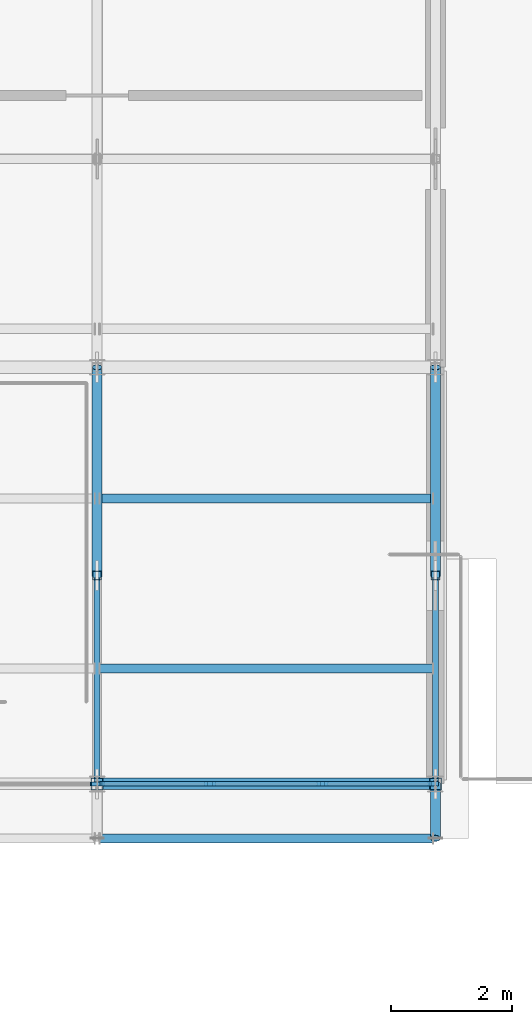
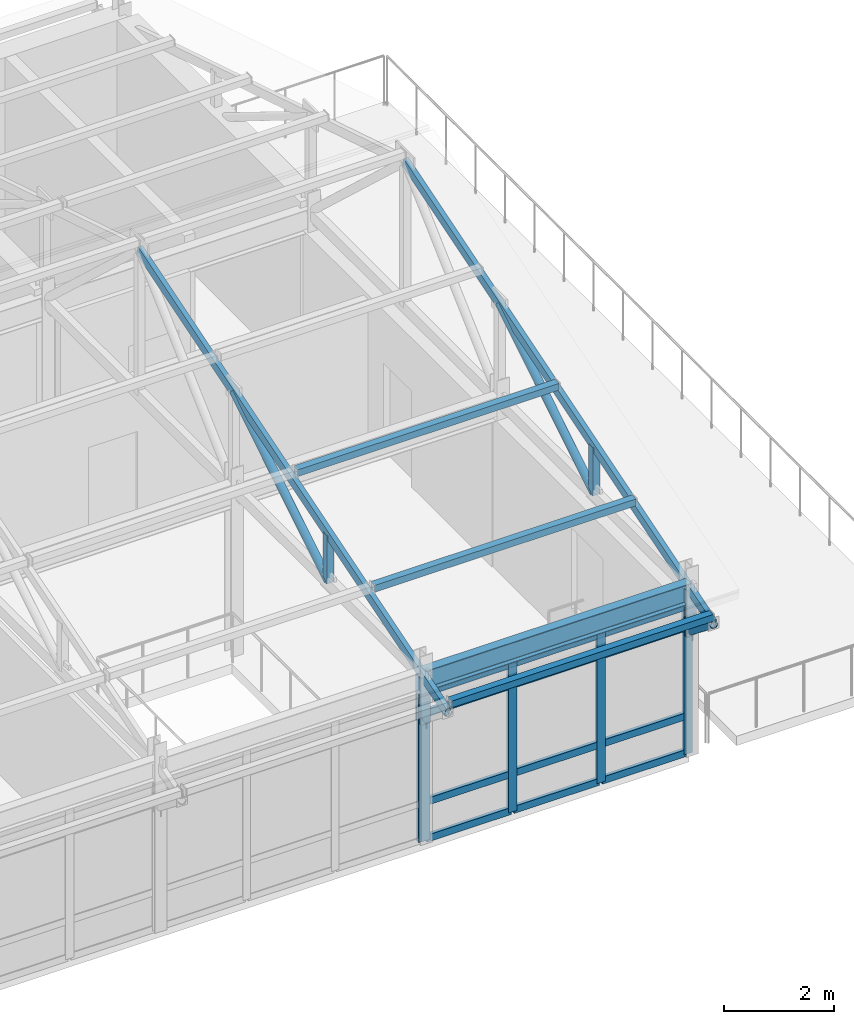
# One storey, part 63 of 144: 29 members, 1 beam, 2 elements without a shape of their own.
"""IFC4 building model written with IfcOpenShell, lengths in metres."""

from ifc_helpers import new_model, si_unit, direction, frame, origin, origin_2d, place, context, subcontext, project, spatial, rectangle, hollow_rectangle, hollow_circle, i_section, extrude, material, layer, layer_set, material_profile, profile_set, type_object, element, aggregate, save


model = new_model("IFC4")

# Units and contexts
model_context = context("Model", 3, precision=1e-05, world=origin(), true_north=direction((0.0, 1.0)))
body_context = subcontext(model_context, "Body", "Model", "MODEL_VIEW")
ifc_project = project(units=[si_unit("LENGTHUNIT", "METRE"), si_unit("AREAUNIT", "SQUARE_METRE"), si_unit("VOLUMEUNIT", "CUBIC_METRE"), si_unit("PLANEANGLEUNIT", "RADIAN"), si_unit("MASSUNIT", "GRAM", prefix="KILO")], contexts=[model_context])

# Site, building, storey
site_placement = place(None, origin())
site = spatial("IfcSite", under=ifc_project, at=site_placement, CompositionType="ELEMENT")
building_placement = place(site_placement, origin())
building = spatial("IfcBuilding", under=site, at=building_placement, Name="Trelmorton Wharf Fire Station", CompositionType="ELEMENT")
storey_placement = place(building_placement, frame((0.0, 0.0, 5.39990234375)))
storey = spatial("IfcBuildingStorey", under=building, at=storey_placement, Name="L01", CompositionType="ELEMENT", Elevation=5.39990234375)

# Curtain wall, member
ifc_material_1 = material(Name="Anodised aluminium AW-6063", Category="aluminium")
ifc_layer = layer(ifc_material_1, 0.14990234375)
ifc_layer_set = layer_set([ifc_layer], Name="Anodised aluminium AW-6063")
curtain_wall_type = type_object("IfcCurtainWallType", Name="CW_UNIT_A", PredefinedType="USERDEFINED", material=ifc_layer_set)
curtain_wall_1_placement = place(storey_placement, origin())
curtain_wall_1 = element("IfcCurtainWall", 1, at=curtain_wall_1_placement, inside=storey, type_object=curtain_wall_type, Name="CW-V6-L01-095", ObjectType="UNITISED CURTAIN WALL", PredefinedType="USERDEFINED")
ifc_material_profile_1 = material_profile(ifc_material_1, rectangle(XDim=0.06494140625, YDim=0.159912109375, at=origin_2d()), Name="ALU-65x160")
ifc_profile_set_1 = profile_set([ifc_material_profile_1], Name="Anodised aluminium AW-6063")
member_type_1 = type_object("IfcMemberType", Name="CWM_65x160", PredefinedType="MULLION", material=ifc_profile_set_1)
member_1_placement = place(storey_placement, frame((34.364990234375, 60.300048828125, 0.0), z_axis=(0.0, 0.0, 1.0), x_axis=(0.0, -1.0, 0.0)))
member_1 = element("IfcMember", 2, at=member_1_placement, type_object=member_type_1, Name="CW3 mullion 1", PredefinedType="MULLION", context=body_context, shape_type="SweptSolid", body=[
    extrude(rectangle(XDim=0.06494140625, YDim=0.159912109375, at=origin_2d()), origin(), (0.0, 0.0, 1.0), 3.320068359375),
])
aggregate(curtain_wall_1, [member_1])

# Curtain wall, members
curtain_wall_2_placement = place(storey_placement, origin())
curtain_wall_2 = element("IfcCurtainWall", 3, at=curtain_wall_2_placement, inside=storey, type_object=curtain_wall_type, Name="CW-V6-L01-096", ObjectType="UNITISED CURTAIN WALL", PredefinedType="USERDEFINED")
ifc_material_profile_2 = material_profile(ifc_material_1, rectangle(XDim=0.074951171875, YDim=0.175048828125, at=origin_2d()), Name="ALU-75x175")
ifc_profile_set_2 = profile_set([ifc_material_profile_2], Name="Anodised aluminium AW-6063")
member_type_2 = type_object("IfcMemberType", Name="CWM_75x175", PredefinedType="MULLION", material=ifc_profile_set_2)
member_2_placement = place(storey_placement, frame((39.965087890625, 60.300048828125, 0.0), z_axis=(0.0, 0.0, 1.0), x_axis=(0.0, -1.0, 0.0)))
member_2 = element("IfcMember", 4, at=member_2_placement, type_object=member_type_2, Name="CW3 mullion 1", PredefinedType="MULLION", context=body_context, shape_type="SweptSolid", body=[
    extrude(rectangle(XDim=0.074951171875, YDim=0.175048828125, at=origin_2d()), origin(), (0.0, 0.0, 1.0), 3.320068359375),
])
member_3_placement = place(storey_placement, frame((38.131591796875, 60.300048828125, 0.0), z_axis=(0.0, 0.0, 1.0), x_axis=(0.0, -1.0, 0.0)))
member_3 = element("IfcMember", 5, at=member_3_placement, type_object=member_type_2, Name="CW3 mullion 2", PredefinedType="MULLION", context=body_context, shape_type="SweptSolid", body=[
    extrude(rectangle(XDim=0.074951171875, YDim=0.175048828125, at=origin_2d()), origin(), (0.0, 0.0, 1.0), 3.320068359375),
])
member_4_placement = place(storey_placement, frame((36.268310546875, 60.300048828125, 0.0), z_axis=(0.0, 0.0, 1.0), x_axis=(0.0, -1.0, 0.0)))
member_4 = element("IfcMember", 6, at=member_4_placement, type_object=member_type_2, Name="CW3 mullion 3", PredefinedType="MULLION", context=body_context, shape_type="SweptSolid", body=[
    extrude(rectangle(XDim=0.074951171875, YDim=0.175048828125, at=origin_2d()), origin(), (0.0, 0.0, 1.0), 3.320068359375),
])
member_5_placement = place(storey_placement, frame((34.43505859375, 60.300048828125, 0.0), z_axis=(0.0, 0.0, 1.0), x_axis=(0.0, -1.0, 0.0)))
member_5 = element("IfcMember", 7, at=member_5_placement, type_object=member_type_2, Name="CW3 mullion 4", PredefinedType="MULLION", context=body_context, shape_type="SweptSolid", body=[
    extrude(rectangle(XDim=0.074951171875, YDim=0.175048828125, at=origin_2d()), origin(), (0.0, 0.0, 1.0), 3.320068359375),
])
ifc_material_profile_3 = material_profile(ifc_material_1, rectangle(XDim=0.074951171875, YDim=0.155029296875, at=origin_2d()), Name="ALU-75x155")
ifc_profile_set_3 = profile_set([ifc_material_profile_3], Name="Anodised aluminium AW-6063")
member_type_3 = type_object("IfcMemberType", Name="CWT_75x155", PredefinedType="USERDEFINED", material=ifc_profile_set_3)
member_6_placement = place(storey_placement, frame((39.93505859375, 60.300048828125, 0.030029296875), z_axis=(-1.0, 0.0, 0.0), x_axis=(0.0, -1.0, 0.0)))
member_6 = element("IfcMember", 8, at=member_6_placement, type_object=member_type_3, Name="CW3 transom 1.1", ObjectType="TRANSOM", PredefinedType="USERDEFINED", context=body_context, shape_type="SweptSolid", body=[
    extrude(rectangle(XDim=0.074951171875, YDim=0.155029296875, at=origin_2d()), origin(), (0.0, 0.0, 1.0), 1.7734375),
])
member_7_placement = place(storey_placement, frame((39.93505859375, 60.300048828125, 0.85009765625), z_axis=(-1.0, 0.0, 0.0), x_axis=(0.0, -1.0, 0.0)))
member_7 = element("IfcMember", 9, at=member_7_placement, type_object=member_type_3, Name="CW3 transom 1.2", ObjectType="TRANSOM", PredefinedType="USERDEFINED", context=body_context, shape_type="SweptSolid", body=[
    extrude(rectangle(XDim=0.074951171875, YDim=0.155029296875, at=origin_2d()), origin(), (0.0, 0.0, 1.0), 1.7734375),
])
member_8_placement = place(storey_placement, frame((39.93505859375, 60.300048828125, 2.820068359375), z_axis=(-1.0, 0.0, 0.0), x_axis=(0.0, -1.0, 0.0)))
member_8 = element("IfcMember", 10, at=member_8_placement, type_object=member_type_3, Name="CW3 transom 1.3", ObjectType="TRANSOM", PredefinedType="USERDEFINED", context=body_context, shape_type="SweptSolid", body=[
    extrude(rectangle(XDim=0.074951171875, YDim=0.155029296875, at=origin_2d()), origin(), (0.0, 0.0, 1.0), 1.7734375),
])
member_9_placement = place(storey_placement, frame((39.93505859375, 60.300048828125, 3.2900390625), z_axis=(-1.0, 0.0, 0.0), x_axis=(0.0, -1.0, 0.0)))
member_9 = element("IfcMember", 11, at=member_9_placement, type_object=member_type_3, Name="CW3 transom 1.4", ObjectType="TRANSOM", PredefinedType="USERDEFINED", context=body_context, shape_type="SweptSolid", body=[
    extrude(rectangle(XDim=0.074951171875, YDim=0.155029296875, at=origin_2d()), origin(), (0.0, 0.0, 1.0), 1.7734375),
])
member_10_placement = place(storey_placement, frame((38.1015625, 60.300048828125, 0.030029296875), z_axis=(-1.0, 0.0, 0.0), x_axis=(0.0, -1.0, 0.0)))
member_10 = element("IfcMember", 12, at=member_10_placement, type_object=member_type_3, Name="CW3 transom 2.1", ObjectType="TRANSOM", PredefinedType="USERDEFINED", context=body_context, shape_type="SweptSolid", body=[
    extrude(rectangle(XDim=0.074951171875, YDim=0.155029296875, at=origin_2d()), origin(), (0.0, 0.0, 1.0), 1.80322265625),
])
member_11_placement = place(storey_placement, frame((38.1015625, 60.300048828125, 0.85009765625), z_axis=(-1.0, 0.0, 0.0), x_axis=(0.0, -1.0, 0.0)))
member_11 = element("IfcMember", 13, at=member_11_placement, type_object=member_type_3, Name="CW3 transom 2.2", ObjectType="TRANSOM", PredefinedType="USERDEFINED", context=body_context, shape_type="SweptSolid", body=[
    extrude(rectangle(XDim=0.074951171875, YDim=0.155029296875, at=origin_2d()), origin(), (0.0, 0.0, 1.0), 1.80322265625),
])
member_12_placement = place(storey_placement, frame((38.1015625, 60.300048828125, 2.820068359375), z_axis=(-1.0, 0.0, 0.0), x_axis=(0.0, -1.0, 0.0)))
member_12 = element("IfcMember", 14, at=member_12_placement, type_object=member_type_3, Name="CW3 transom 2.3", ObjectType="TRANSOM", PredefinedType="USERDEFINED", context=body_context, shape_type="SweptSolid", body=[
    extrude(rectangle(XDim=0.074951171875, YDim=0.155029296875, at=origin_2d()), origin(), (0.0, 0.0, 1.0), 1.80322265625),
])
member_13_placement = place(storey_placement, frame((38.1015625, 60.300048828125, 3.2900390625), z_axis=(-1.0, 0.0, 0.0), x_axis=(0.0, -1.0, 0.0)))
member_13 = element("IfcMember", 15, at=member_13_placement, type_object=member_type_3, Name="CW3 transom 2.4", ObjectType="TRANSOM", PredefinedType="USERDEFINED", context=body_context, shape_type="SweptSolid", body=[
    extrude(rectangle(XDim=0.074951171875, YDim=0.155029296875, at=origin_2d()), origin(), (0.0, 0.0, 1.0), 1.80322265625),
])
member_14_placement = place(storey_placement, frame((36.23828125, 60.300048828125, 0.030029296875), z_axis=(-1.0, 0.0, 0.0), x_axis=(0.0, -1.0, 0.0)))
member_14 = element("IfcMember", 16, at=member_14_placement, type_object=member_type_3, Name="CW3 transom 3.1", ObjectType="TRANSOM", PredefinedType="USERDEFINED", context=body_context, shape_type="SweptSolid", body=[
    extrude(rectangle(XDim=0.074951171875, YDim=0.155029296875, at=origin_2d()), origin(), (0.0, 0.0, 1.0), 1.773193359375),
])
member_15_placement = place(storey_placement, frame((36.23828125, 60.300048828125, 0.85009765625), z_axis=(-1.0, 0.0, 0.0), x_axis=(0.0, -1.0, 0.0)))
member_15 = element("IfcMember", 17, at=member_15_placement, type_object=member_type_3, Name="CW3 transom 3.2", ObjectType="TRANSOM", PredefinedType="USERDEFINED", context=body_context, shape_type="SweptSolid", body=[
    extrude(rectangle(XDim=0.074951171875, YDim=0.155029296875, at=origin_2d()), origin(), (0.0, 0.0, 1.0), 1.773193359375),
])
member_16_placement = place(storey_placement, frame((36.23828125, 60.300048828125, 2.820068359375), z_axis=(-1.0, 0.0, 0.0), x_axis=(0.0, -1.0, 0.0)))
member_16 = element("IfcMember", 18, at=member_16_placement, type_object=member_type_3, Name="CW3 transom 3.3", ObjectType="TRANSOM", PredefinedType="USERDEFINED", context=body_context, shape_type="SweptSolid", body=[
    extrude(rectangle(XDim=0.074951171875, YDim=0.155029296875, at=origin_2d()), origin(), (0.0, 0.0, 1.0), 1.773193359375),
])
member_17_placement = place(storey_placement, frame((36.23828125, 60.300048828125, 3.2900390625), z_axis=(-1.0, 0.0, 0.0), x_axis=(0.0, -1.0, 0.0)))
member_17 = element("IfcMember", 19, at=member_17_placement, type_object=member_type_3, Name="CW3 transom 3.4", ObjectType="TRANSOM", PredefinedType="USERDEFINED", context=body_context, shape_type="SweptSolid", body=[
    extrude(rectangle(XDim=0.074951171875, YDim=0.155029296875, at=origin_2d()), origin(), (0.0, 0.0, 1.0), 1.773193359375),
])
aggregate(curtain_wall_2, [member_2, member_3, member_4, member_5, member_6, member_7, member_8, member_9, member_10, member_11, member_12, member_13, member_14, member_15, member_16, member_17])

# Members
ifc_material_2 = material(Name="Steel C350L0 (350 MPa)", Category="steel")
ifc_material_profile_4 = material_profile(ifc_material_2, hollow_rectangle(XDim=0.14990234375, YDim=0.14990234375, WallThickness=0.009033203125, at=origin_2d()), Name="150x150x9.0SHS")
ifc_profile_set_4 = profile_set([ifc_material_profile_4], Name="Steel C350L0 (350 MPa)")
member_type_4 = type_object("IfcMemberType", Name="PR_150SHS", PredefinedType="PURLIN", material=ifc_profile_set_4)
for number, where, z_axis, x_axis, name in (
    (20, (34.447021484375, 59.39990234375, 3.598876953125), (1.0, 0.0, 0.0), (0.0, 1.0, 0.0), "V6-PR-B03-S0"),
    (21, (34.447021484375, 62.21240234375, 4.468505859375), (1.0, 0.0, 0.0), (0.0, 1.0, 0.0), "V6-PR-B03-S1"),
    (22, (34.447021484375, 65.02490234375, 5.338134765625), (1.0, 0.0, 0.0), (0.0, 1.0, 0.0), "V6-PR-B03-S2"),
):
    element("IfcMember", number, at=place(storey_placement, frame(where, z_axis=z_axis, x_axis=x_axis)), inside=storey, type_object=member_type_4, Name=name, PredefinedType="PURLIN", context=body_context, shape_type="SweptSolid", body=[
        extrude(hollow_rectangle(XDim=0.14990234375, YDim=0.14990234375, WallThickness=0.009033203125, at=origin_2d()), origin(), (0.0, 0.0, 1.0), 5.505859375),
    ])

# Beam
ifc_material_3 = material(Name="Steel Grade 350", Category="steel")
ifc_material_profile_5 = material_profile(ifc_material_3, i_section(OverallWidth=0.18994140625, OverallDepth=0.45703125, WebThickness=0.009033203125, FlangeThickness=0.014404296875, FilletRadius=0.011474609375, at=origin_2d()), Name="460UB74.6")
ifc_profile_set_5 = profile_set([ifc_material_profile_5], Name="Steel Grade 350")
beam_type = type_object("IfcBeamType", Name="SP_460UB75", PredefinedType="SPANDREL", material=ifc_profile_set_5)
beam_placement = place(storey_placement, frame((34.404052734375, 60.300048828125, 3.591552734375), z_axis=(1.0, 0.0, 0.0), x_axis=(0.0, 1.0, 0.0)))
element("IfcBeam", 23, at=beam_placement, inside=storey, type_object=beam_type, Name="BM-L01-0493", PredefinedType="SPANDREL", context=body_context, shape_type="SweptSolid", body=[
    extrude(i_section(OverallWidth=0.18994140625, OverallDepth=0.45703125, WebThickness=0.009033203125, FlangeThickness=0.014404296875, FilletRadius=0.011474609375, at=origin_2d()), origin(), (0.0, 0.0, 1.0), 5.592041015625),
])

# Members
ifc_material_profile_6 = material_profile(ifc_material_2, hollow_circle(Radius=0.084228515625, WallThickness=0.007080078125, at=origin_2d()), Name="168.3x7.1CHS")
ifc_profile_set_6 = profile_set([ifc_material_profile_6], Name="Steel C350L0 (350 MPa)")
member_type_5 = type_object("IfcMemberType", Name="TR_DIAG_168CHS", PredefinedType="STRUT", material=ifc_profile_set_6)
member_18_placement = place(storey_placement, frame((34.39990234375, 63.75, 3.68408203125), z_axis=(0.0, 0.85052799659, 0.525929773845), x_axis=(-1.0, 0.0, 0.0)))
element("IfcMember", 24, at=member_18_placement, inside=storey, type_object=member_type_5, Name="V6-TR03-DG-S1", PredefinedType="STRUT", context=body_context, shape_type="SweptSolid", body=[
    extrude(hollow_circle(Radius=0.084228515625, WallThickness=0.007080078125, at=origin_2d()), origin(), (0.0, 0.0, 1.0), 4.05615234375),
])
member_19_placement = place(storey_placement, frame((40.0, 60.300048828125, 2.7001953125), z_axis=(0.0, -0.787036307111, 0.616906679563), x_axis=(1.0, 0.0, 0.0)))
element("IfcMember", 25, at=member_19_placement, inside=storey, type_object=member_type_5, Name="V6-TR04-EAV-S", PredefinedType="STRUT", context=body_context, shape_type="SweptSolid", body=[
    extrude(hollow_circle(Radius=0.084228515625, WallThickness=0.007080078125, at=origin_2d()), origin(), (0.0, 0.0, 1.0), 1.143798828125),
])
member_20_placement = place(storey_placement, frame((40.0, 63.75, 3.68408203125), z_axis=(0.0, 0.85052799659, 0.525929773845), x_axis=(-1.0, 0.0, 0.0)))
element("IfcMember", 26, at=member_20_placement, inside=storey, type_object=member_type_5, Name="V6-TR04-DG-S1", PredefinedType="STRUT", context=body_context, shape_type="SweptSolid", body=[
    extrude(hollow_circle(Radius=0.084228515625, WallThickness=0.007080078125, at=origin_2d()), origin(), (0.0, 0.0, 1.0), 4.05615234375),
])
ifc_material_profile_7 = material_profile(ifc_material_2, hollow_rectangle(XDim=0.14990234375, YDim=0.14990234375, WallThickness=0.009033203125, at=origin_2d()), Name="150x150x9.0SHS")
ifc_profile_set_7 = profile_set([ifc_material_profile_7], Name="Steel C350L0 (350 MPa)")
member_type_6 = type_object("IfcMemberType", Name="TR_POST_150SHS", PredefinedType="POST", material=ifc_profile_set_7)
for number, where, z_axis, x_axis, name in (
    (27, (34.39990234375, 63.75, 3.68408203125), (0.0, 0.0, 1.0), (1.0, 0.0, 0.0), "V6-TR03-VP-S1"),
    (28, (40.0, 63.75, 3.68408203125), (0.0, 0.0, 1.0), (1.0, 0.0, 0.0), "V6-TR04-VP-S1"),
):
    element("IfcMember", number, at=place(storey_placement, frame(where, z_axis=z_axis, x_axis=x_axis)), inside=storey, type_object=member_type_6, Name=name, PredefinedType="POST", context=body_context, shape_type="SweptSolid", body=[
        extrude(hollow_rectangle(XDim=0.14990234375, YDim=0.14990234375, WallThickness=0.009033203125, at=origin_2d()), origin(), (0.0, 0.0, 1.0), 1.066650390625),
    ])
ifc_material_profile_8 = material_profile(ifc_material_2, hollow_rectangle(XDim=0.199951171875, YDim=0.199951171875, WallThickness=0.010009765625, at=origin_2d()), Name="200x200x10.0SHS")
ifc_profile_set_8 = profile_set([ifc_material_profile_8], Name="Steel C350L0 (350 MPa)")
member_type_7 = type_object("IfcMemberType", Name="TR_POST_200SHS", PredefinedType="POST", material=ifc_profile_set_8)
for number, where, z_axis, x_axis, name in (
    (29, (34.39990234375, 60.300048828125, 2.650146484375), (0.0, 0.0, 1.0), (1.0, 0.0, 0.0), "V6-TR03-SHS"),
    (30, (40.0, 60.300048828125, 2.650146484375), (0.0, 0.0, 1.0), (1.0, 0.0, 0.0), "V6-TR04-SHS"),
):
    element("IfcMember", number, at=place(storey_placement, frame(where, z_axis=z_axis, x_axis=x_axis)), inside=storey, type_object=member_type_7, Name=name, PredefinedType="POST", context=body_context, shape_type="SweptSolid", body=[
        extrude(hollow_rectangle(XDim=0.199951171875, YDim=0.199951171875, WallThickness=0.010009765625, at=origin_2d()), origin(), (0.0, 0.0, 1.0), 1.033935546875),
    ])
ifc_material_profile_9 = material_profile(ifc_material_2, hollow_rectangle(XDim=0.10009765625, YDim=0.199951171875, WallThickness=0.006103515625, at=origin_2d()), Name="200x100x6.0RHS")
ifc_profile_set_9 = profile_set([ifc_material_profile_9], Name="Steel C350L0 (350 MPa)")
member_type_8 = type_object("IfcMemberType", Name="TR_RAFT_200RHS", PredefinedType="RAFTER", material=ifc_profile_set_9)
for number, where, z_axis, x_axis, name in (
    (31, (34.39990234375, 59.39990234375, 3.40576171875), (0.0, 0.955378707883, 0.295383690348), (-1.0, 0.0, 0.0), "V6-TR03-RFS"),
    (32, (40.0, 59.39990234375, 3.40576171875), (0.0, 0.955378707883, 0.295383690348), (-1.0, 0.0, 0.0), "V6-TR04-RFS"),
):
    element("IfcMember", number, at=place(storey_placement, frame(where, z_axis=z_axis, x_axis=x_axis)), inside=storey, type_object=member_type_8, Name=name, PredefinedType="RAFTER", context=body_context, shape_type="SweptSolid", body=[
        extrude(hollow_rectangle(XDim=0.10009765625, YDim=0.199951171875, WallThickness=0.006103515625, at=origin_2d()), origin(), (0.0, 0.0, 1.0), 11.775390625),
    ])

save(model, "model.ifc")
